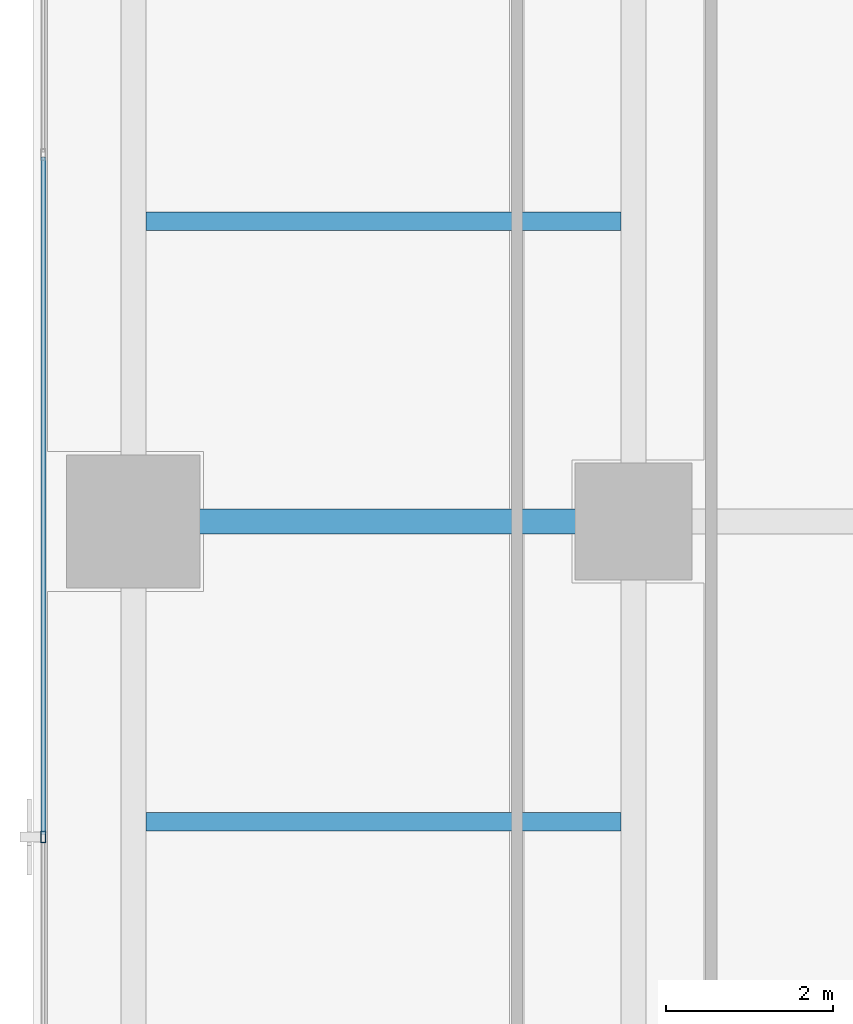
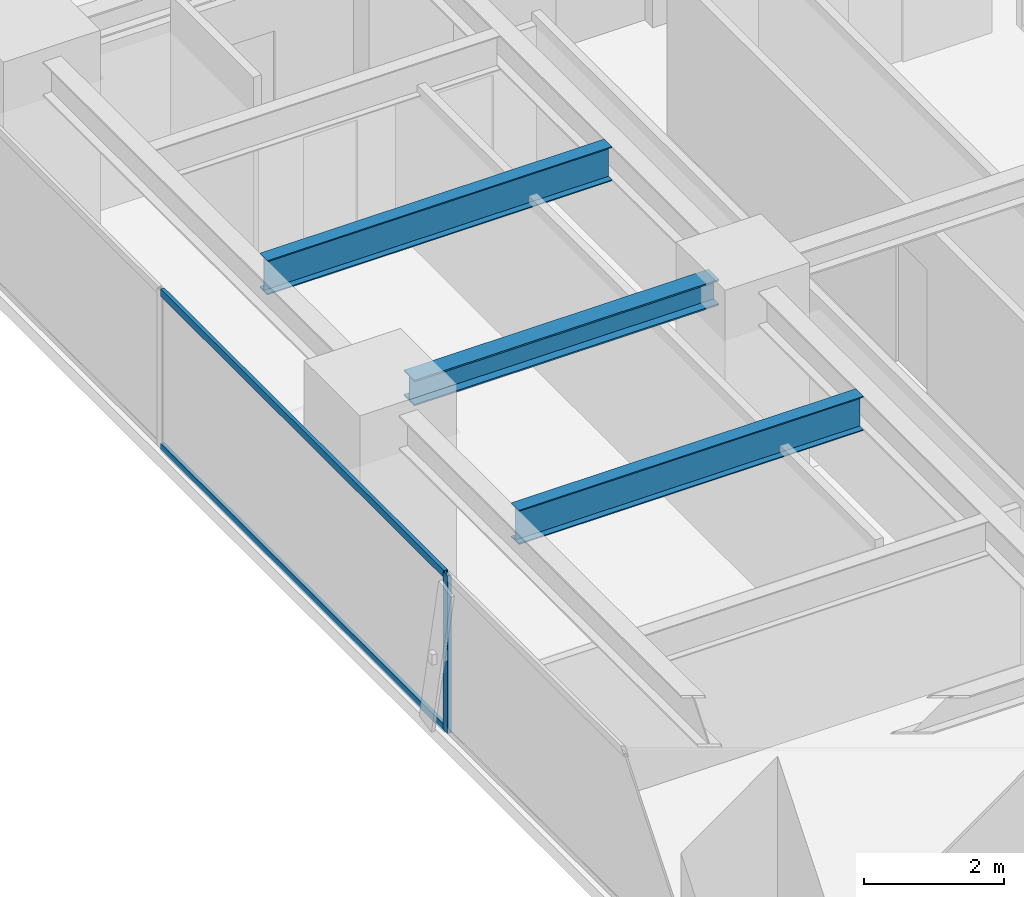
# One storey, part 4 of 30: 3 beams, 3 members, 1 element without a shape of its own.
"""IFC4 building model written with IfcOpenShell, lengths in metres."""

from ifc_helpers import new_model, si_unit, direction, frame, origin, origin_2d, place, context, subcontext, project, spatial, hollow_rectangle, i_section, extrude, source, transform, mapped, material, layer, layer_set, material_profile, profile_set, type_object, element, aggregate, save


model = new_model("IFC4")

# Units and contexts
model_context = context("Model", 3, precision=1e-05, world=origin(), true_north=direction((0.0, 1.0)))
body_context = subcontext(model_context, "Body", "Model", "MODEL_VIEW")
ifc_project = project(units=[si_unit("LENGTHUNIT", "METRE"), si_unit("AREAUNIT", "SQUARE_METRE"), si_unit("VOLUMEUNIT", "CUBIC_METRE"), si_unit("PLANEANGLEUNIT", "RADIAN"), si_unit("MASSUNIT", "GRAM", prefix="KILO")], contexts=[model_context])

# Site, building, storey
site_placement = place(None, origin())
site = spatial("IfcSite", under=ifc_project, at=site_placement, CompositionType="ELEMENT")
building_placement = place(site_placement, origin())
building = spatial("IfcBuilding", under=site, at=building_placement, Name="Sumidabori Civic Tower", CompositionType="ELEMENT")
storey_placement = place(building_placement, frame((0.0, 0.0, 200.0)))
storey = spatial("IfcBuildingStorey", under=building, at=storey_placement, Name="L51", CompositionType="ELEMENT", Elevation=200.0)

# Beams
ifc_material_1 = material(Name="Steel SN490", Category="steel")
ifc_material_profile_1 = material_profile(ifc_material_1, i_section(OverallWidth=0.219970703125, OverallDepth=0.60009765625, WebThickness=0.011962890625, FlangeThickness=0.01904296875, at=origin_2d()), Name="IPE 600")
ifc_profile_set_1 = profile_set([ifc_material_profile_1], Name="Steel SN490")
beam_type_1 = type_object("IfcBeamType", Name="BM-JST-600", PredefinedType="JOIST", material=ifc_profile_set_1)
shared_shape_1 = source(origin(), body_context, "Body", "SweptSolid", [
    extrude(i_section(OverallWidth=0.219970703125, OverallDepth=0.60009765625, WebThickness=0.011962890625, FlangeThickness=0.01904296875, at=origin_2d()), origin(), (0.0, 0.0, 1.0), 5.699951171875),
])
for number, where, z_axis, x_axis, name in (
    (1, (-22.64990234375, -3.60009765625, 3.080078125), (1.0, 0.0, 0.0), (0.0, 1.0, 0.0), "Outer Bay Floor Joist L51 JSTO-27"),
    (2, (-22.64990234375, 3.60009765625, 3.080078125), (1.0, 0.0, 0.0), (0.0, 1.0, 0.0), "Outer Bay Floor Joist L51 JSTO-29"),
):
    element("IfcBeam", number, at=place(storey_placement, frame(where, z_axis=z_axis, x_axis=x_axis)), inside=storey, type_object=beam_type_1, Name=name, PredefinedType="JOIST", context=body_context, shape_type="MappedRepresentation", body=[
        mapped(shared_shape_1, transform((0.0, 0.0, 0.0), x_axis=(1.0, 0.0, 0.0), y_axis=(0.0, 1.0, 0.0), z_axis=(0.0, 0.0, 1.0), scale=1.0)),
    ])
ifc_material_profile_2 = material_profile(ifc_material_1, i_section(OverallWidth=0.300048828125, OverallDepth=0.449951171875, WebThickness=0.013916015625, FlangeThickness=0.02587890625, at=origin_2d()), Name="HE 450 B")
ifc_profile_set_2 = profile_set([ifc_material_profile_2], Name="Steel SN490")
beam_type_2 = type_object("IfcBeamType", Name="BM-GIRD-450", PredefinedType="BEAM", material=ifc_profile_set_2)
shared_shape_2 = source(origin(), body_context, "Body", "SweptSolid", [
    extrude(i_section(OverallWidth=0.300048828125, OverallDepth=0.449951171875, WebThickness=0.013916015625, FlangeThickness=0.02587890625, at=origin_2d()), origin(), (0.0, 0.0, 1.0), 5.0400390625),
])
beam_placement = place(storey_placement, frame((-22.320068359375, 0.0, 3.155029296875), z_axis=(1.0, 0.0, 0.0), x_axis=(0.0, 1.0, 0.0)))
element("IfcBeam", 3, at=beam_placement, inside=storey, type_object=beam_type_2, Name="Primary Girder L51 GX-05", PredefinedType="BEAM", context=body_context, shape_type="MappedRepresentation", body=[
    mapped(shared_shape_2, transform((0.0, 0.0, 0.0), x_axis=(1.0, 0.0, 0.0), y_axis=(0.0, 1.0, 0.0), z_axis=(0.0, 0.0, 1.0), scale=1.0)),
])

# Curtain wall, members
ifc_material_2 = material(Name="Anodised Bronze Aluminium AW-6063-T6", Category="aluminium")
ifc_layer = layer(ifc_material_2, 0.179931640625, Name="Anodised Bronze Aluminium AW-6063-T6")
ifc_layer_set = layer_set([ifc_layer], Name="Anodised Bronze Aluminium AW-6063-T6")
curtain_wall_type = type_object("IfcCurtainWallType", Name="CW-SYS-5", PredefinedType="NOTDEFINED", material=ifc_layer_set)
curtain_wall_placement = place(storey_placement, origin())
curtain_wall = element("IfcCurtainWall", 4, at=curtain_wall_placement, inside=storey, type_object=curtain_wall_type, Name="Curtain Wall CW:L51:R16", PredefinedType="NOTDEFINED")
ifc_material_profile_3 = material_profile(ifc_material_2, hollow_rectangle(XDim=0.06005859375, YDim=0.139892578125, WallThickness=0.0048828125, at=origin_2d()), Name="ALU MULLION 140x60")
ifc_profile_set_3 = profile_set([ifc_material_profile_3], Name="Anodised Bronze Aluminium AW-6063-T6")
member_type_1 = type_object("IfcMemberType", Name="CW-MUL-140", PredefinedType="MULLION", material=ifc_profile_set_3)
shared_shape_3 = source(origin(), body_context, "Body", "SweptSolid", [
    extrude(hollow_rectangle(XDim=0.06005859375, YDim=0.139892578125, WallThickness=0.0048828125, at=origin_2d()), origin(), (0.0, 0.0, 1.0), 2.760009765625),
])
member_1_placement = place(storey_placement, frame((-23.8798828125, -3.784912109375, 0.0), z_axis=(0.0, 0.0, 1.0), x_axis=(1.0, 0.0, 0.0)))
member_1 = element("IfcMember", 5, at=member_1_placement, type_object=member_type_1, Name="CW-5 mullion 4", PredefinedType="MULLION", context=body_context, shape_type="MappedRepresentation", body=[
    mapped(shared_shape_3, transform((0.0, 0.0, 0.0), x_axis=(1.0, 0.0, 0.0), y_axis=(0.0, 1.0, 0.0), z_axis=(0.0, 0.0, 1.0), scale=1.0)),
])
ifc_material_profile_4 = material_profile(ifc_material_2, hollow_rectangle(XDim=0.06005859375, YDim=0.1298828125, WallThickness=0.0048828125, at=origin_2d()), Name="ALU TRANSOM 130x60")
ifc_profile_set_4 = profile_set([ifc_material_profile_4], Name="Anodised Bronze Aluminium AW-6063-T6")
member_type_2 = type_object("IfcMemberType", Name="CW-TRN-130", PredefinedType="USERDEFINED", material=ifc_profile_set_4)
shared_shape_4 = source(origin(), body_context, "Body", "SweptSolid", [
    extrude(hollow_rectangle(XDim=0.06005859375, YDim=0.1298828125, WallThickness=0.0048828125, at=origin_2d()), origin(), (0.0, 0.0, 1.0), 8.125),
])
member_2_placement = place(storey_placement, frame((-23.8798828125, 4.3701171875, 0.030029296875), z_axis=(0.0, -1.0, 0.0), x_axis=(1.0, 0.0, 0.0)))
member_2 = element("IfcMember", 6, at=member_2_placement, type_object=member_type_2, Name="CW-5 transom 3.1", ObjectType="TRANSOM", PredefinedType="USERDEFINED", context=body_context, shape_type="MappedRepresentation", body=[
    mapped(shared_shape_4, transform((0.0, 0.0, 0.0), x_axis=(1.0, 0.0, 0.0), y_axis=(0.0, 1.0, 0.0), z_axis=(0.0, 0.0, 1.0), scale=1.0)),
])
member_3_placement = place(storey_placement, frame((-23.8798828125, 4.3701171875, 2.72998046875), z_axis=(0.0, -1.0, 0.0), x_axis=(1.0, 0.0, 0.0)))
member_3 = element("IfcMember", 7, at=member_3_placement, type_object=member_type_2, Name="CW-5 transom 3.2", ObjectType="TRANSOM", PredefinedType="USERDEFINED", context=body_context, shape_type="MappedRepresentation", body=[
    mapped(shared_shape_4, transform((0.0, 0.0, 0.0), x_axis=(1.0, 0.0, 0.0), y_axis=(0.0, 1.0, 0.0), z_axis=(0.0, 0.0, 1.0), scale=1.0)),
])
aggregate(curtain_wall, [member_1, member_2, member_3])

save(model, "model.ifc")
